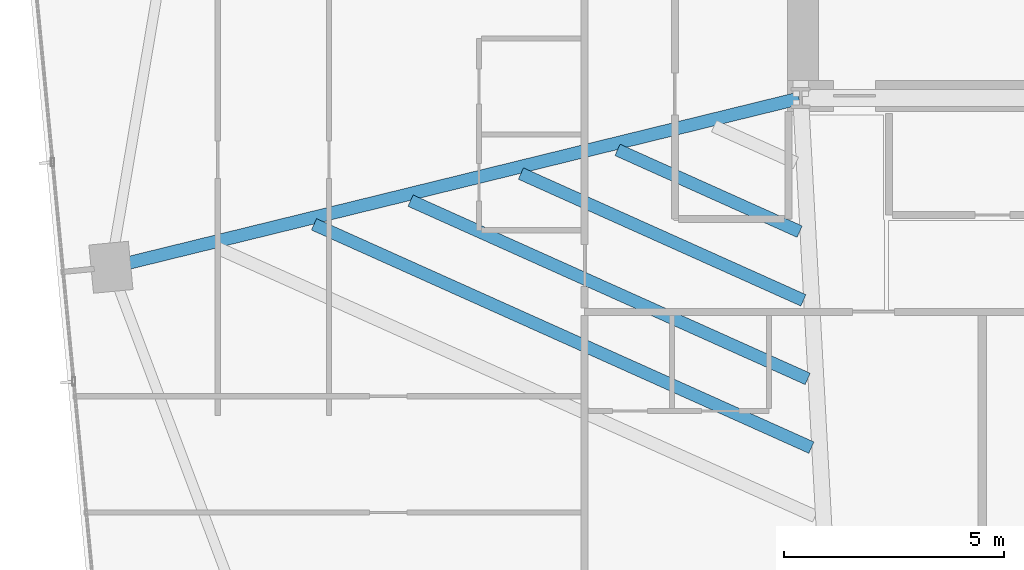
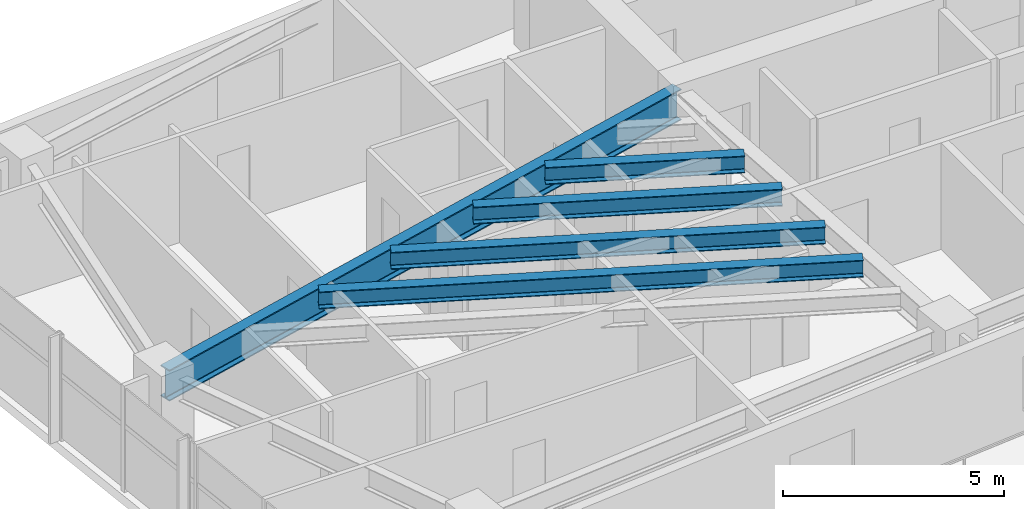
# One storey, part 5 of 25: 5 beams.
"""IFC4 building model written with IfcOpenShell, lengths in metres."""

import ifcopenshell
import ifcopenshell.guid

model = None  # the IFC model being written
_history = None  # IfcOwnerHistory: only IFC2X3 demands one
_inside = {}  # id of a spatial element -> (the spatial element, [elements in it])
_under = {}  # id of a project, library or spatial element -> (it, [spatial elements below it])
_declared = {}  # id of a project -> (the project, [libraries it declares])
_typed = {}  # id of a type object -> (the type object, [elements of that type])
_made_of = {}  # id of a material, layer set ... -> (it, [elements and type objects made of it])


def new_model(schema):
    """Start an empty IFC model of exactly this schema.

    Asked for "IFC4X3", IfcOpenShell would pick the latest addendum, in which some entities
    have other attributes; the version numbers below select the first issue.
    IFC2X3 requires an IfcOwnerHistory on every rooted entity: one is made here for all.
    """
    global model, _history
    if schema == "IFC4X3":
        model = ifcopenshell.file(schema_version=(4, 3, 0, 0))
    else:
        model = ifcopenshell.file(schema=schema)
    _inside.clear()
    _under.clear()
    _declared.clear()
    _typed.clear()
    _made_of.clear()
    _history = None
    if model.schema == "IFC2X3":
        org = make("IfcOrganization", Name="unknown")
        user = make(
            "IfcPersonAndOrganization",
            ThePerson=make("IfcPerson", FamilyName="unknown"),
            TheOrganization=org,
        )
        app = make(
            "IfcApplication",
            ApplicationDeveloper=org,
            Version="unknown",
            ApplicationFullName="unknown",
            ApplicationIdentifier="unknown",
        )
        _history = make(
            "IfcOwnerHistory",
            OwningUser=user,
            OwningApplication=app,
            ChangeAction="ADDED",
            CreationDate=0,
        )
    return model


def make(cls, **values):
    """One entity of the class cls with the attributes given. An attribute that is None is left unset."""
    return model.create_entity(
        cls, **{name: value for name, value in values.items() if value is not None}
    )


def rooted(cls, **values):
    """An entity with a GlobalId (a new one), such as an element, a storey or a relation."""
    return make(cls, GlobalId=ifcopenshell.guid.new(), OwnerHistory=_history, **values)


def si_unit(unit_type, name, prefix=None):
    """IfcSIUnit, for example si_unit("LENGTHUNIT", "METRE", prefix="MILLI")."""
    return make("IfcSIUnit", UnitType=unit_type, Prefix=prefix, Name=name)


def assignment(units):
    """IfcUnitAssignment: the units of a project."""
    return None if units is None else make("IfcUnitAssignment", Units=units)


def point(xyz):
    """IfcCartesianPoint."""
    return None if xyz is None else make("IfcCartesianPoint", Coordinates=xyz)


def direction(xyz):
    """IfcDirection."""
    return None if xyz is None else make("IfcDirection", DirectionRatios=xyz)


def frame(location, z_axis=None, x_axis=None):
    """IfcAxis2Placement3D, a coordinate frame: its origin and axes. An axis left out is left unset."""
    return make(
        "IfcAxis2Placement3D",
        Location=point(location),
        Axis=direction(z_axis),
        RefDirection=direction(x_axis),
    )


def frame_2d(location, x_axis=None):
    """IfcAxis2Placement2D, a coordinate frame in the plane: its origin and x axis."""
    return make(
        "IfcAxis2Placement2D", Location=point(location), RefDirection=direction(x_axis)
    )


def origin():
    """The frame at (0, 0, 0) with its axes left unset."""
    return frame((0.0, 0.0, 0.0))


def origin_2d():
    """The frame at (0, 0) in the plane with its x axis left unset."""
    return frame_2d((0.0, 0.0))


def place(relative_to, where):
    """IfcLocalPlacement: puts the frame where relative to a parent placement (None: the world)."""
    return make(
        "IfcLocalPlacement", PlacementRelTo=relative_to, RelativePlacement=where
    )


def context(
    kind, dimensions, precision=None, world=None, true_north=None, identifier=None
):
    """IfcGeometricRepresentationContext, for example the 3D "Model" context."""
    return make(
        "IfcGeometricRepresentationContext",
        ContextIdentifier=identifier,
        ContextType=kind,
        CoordinateSpaceDimension=dimensions,
        Precision=precision,
        WorldCoordinateSystem=world,
        TrueNorth=true_north,
    )


def subcontext(parent, identifier, kind, view, scale=None):
    """IfcGeometricRepresentationSubContext, for example "Body" below "Model"."""
    return make(
        "IfcGeometricRepresentationSubContext",
        ContextIdentifier=identifier,
        ContextType=kind,
        ParentContext=parent,
        TargetScale=scale,
        TargetView=view,
    )


def project(units=None, contexts=None):
    """IfcProject with its units and contexts."""
    return rooted(
        "IfcProject",
        Name="project",
        RepresentationContexts=contexts,
        UnitsInContext=assignment(units),
    )


def spatial(cls, under=None, at=None, **own):
    """A site, building, storey or space (cls), placed at a placement, below another one or the project."""
    s = rooted(cls, ObjectPlacement=at, **own)
    if under is not None:
        _under.setdefault(under.id(), (under, []))[1].append(s)
    return s


def profile(cls, at=None, kind="AREA", **sizes):
    """A parametric profile (cls). Its sizes go by their IFC names, for example OverallWidth=200.0."""
    return make(cls, ProfileType=kind, Position=at, **sizes)


def i_section(**sizes):
    """IfcIShapeProfileDef."""
    return profile("IfcIShapeProfileDef", **sizes)


def extrude(swept, where, along, depth):
    """IfcExtrudedAreaSolid: the profile swept, set in the frame where, extruded along a direction by depth."""
    return make(
        "IfcExtrudedAreaSolid",
        SweptArea=swept,
        Position=where,
        ExtrudedDirection=direction(along),
        Depth=depth,
    )


def shape(context_of_items, identifier, shape_type, items):
    """IfcShapeRepresentation: the items that make up one representation, for example the "Body"."""
    return make(
        "IfcShapeRepresentation",
        ContextOfItems=context_of_items,
        RepresentationIdentifier=identifier,
        RepresentationType=shape_type,
        Items=items,
    )


def source(mapping_origin, context_of_items, identifier, shape_type, items):
    """IfcRepresentationMap: a shape defined once, which mapped items show again and again."""
    return make(
        "IfcRepresentationMap",
        MappingOrigin=mapping_origin,
        MappedRepresentation=shape(context_of_items, identifier, shape_type, items),
    )


def transform(
    local_origin,
    x_axis=None,
    y_axis=None,
    z_axis=None,
    scale=None,
    scale2=None,
    scale3=None,
    uniform=True,
):
    """IfcCartesianTransformationOperator3D, or its non-uniform kind. x_axis, y_axis, z_axis: its Axis1, 2, 3."""
    if uniform:
        return make(
            "IfcCartesianTransformationOperator3D",
            Axis1=direction(x_axis),
            Axis2=direction(y_axis),
            LocalOrigin=point(local_origin),
            Scale=scale,
            Axis3=direction(z_axis),
        )
    return make(
        "IfcCartesianTransformationOperator3DnonUniform",
        Axis1=direction(x_axis),
        Axis2=direction(y_axis),
        LocalOrigin=point(local_origin),
        Scale=scale,
        Axis3=direction(z_axis),
        Scale2=scale2,
        Scale3=scale3,
    )


def mapped(mapping_source, mapping_target):
    """IfcMappedItem: shows the shape of a source again, moved by a transform."""
    return make(
        "IfcMappedItem", MappingSource=mapping_source, MappingTarget=mapping_target
    )


def material(Name=None, Category=None):
    """IfcMaterial."""
    return make("IfcMaterial", Name=Name, Category=Category)


def material_profile(
    of_material, cross_section, Name=None, Category=None, Priority=None
):
    """IfcMaterialProfile: a cross section and its material."""
    return make(
        "IfcMaterialProfile",
        Name=Name,
        Material=of_material,
        Profile=cross_section,
        Priority=Priority,
        Category=Category,
    )


def profile_set(profiles, Name=None, composite=None):
    """IfcMaterialProfileSet."""
    return make(
        "IfcMaterialProfileSet",
        Name=Name,
        MaterialProfiles=profiles,
        CompositeProfile=composite,
    )


def made_of(thing, what):
    """Note that an element or type object is made of a material, layer set ...; save() writes the relation."""
    if what is not None:
        _made_of.setdefault(what.id(), (what, []))[1].append(thing)
    return thing


def type_object(cls, material=None, **own):
    """A type object (cls), such as IfcWallType, which elements share."""
    return made_of(rooted(cls, **own), material)


def type_shapes(of_type, sources):
    """Give a type object the sources (RepresentationMaps) that its elements show as mapped items."""
    of_type.RepresentationMaps = sources


def element(
    cls,
    number,
    at=None,
    inside=None,
    cuts=None,
    type_object=None,
    material=None,
    context=None,
    identifier="Body",
    shape_type=None,
    held_by="IfcProductDefinitionShape",
    body=None,
    shapes=None,
    **own,
):
    """One element of the class cls, such as IfcWall. Its Tag is "e" and its number.

    at: its placement. inside: the storey or other place that contains it. cuts: it is an
    opening in that element (IfcRelVoidsElement). A single representation is given by context,
    identifier, shape_type and body (its items); several are given by shapes. held_by: the class
    of the entity that holds the representations. save() writes the other relations.
    """
    e = rooted(cls, Tag="e%d" % number, ObjectPlacement=at, **own)
    if body is not None:
        shapes = [shape(context, identifier, shape_type, body)]
    if shapes is not None:
        e.Representation = make(held_by, Representations=shapes)
    if inside is not None:
        _inside.setdefault(inside.id(), (inside, []))[1].append(e)
    if cuts is not None:
        rooted(
            "IfcRelVoidsElement", RelatingBuildingElement=cuts, RelatedOpeningElement=e
        )
    if type_object is not None:
        _typed.setdefault(type_object.id(), (type_object, []))[1].append(e)
    return made_of(e, material)


def aggregate(whole, parts):
    """IfcRelAggregates: a whole, such as a stair, and the parts it consists of."""
    return rooted("IfcRelAggregates", RelatingObject=whole, RelatedObjects=parts)


def save(model, path):
    """Write the relations noted so far, then the file.

    IfcRelAggregates (storeys below a building ...), IfcRelContainedInSpatialStructure (elements
    in a storey), IfcRelDefinesByType, IfcRelAssociatesMaterial and IfcRelDeclares: one each for
    every whole, place, type object, material and project.
    """
    for whole, parts in _under.values():
        aggregate(whole, parts)
    for where, things in _inside.values():
        rooted(
            "IfcRelContainedInSpatialStructure",
            RelatedElements=things,
            RelatingStructure=where,
        )
    for kind, things in _typed.values():
        rooted("IfcRelDefinesByType", RelatedObjects=things, RelatingType=kind)
    for what, things in _made_of.values():
        rooted("IfcRelAssociatesMaterial", RelatedObjects=things, RelatingMaterial=what)
    for by, libraries in _declared.values():
        rooted("IfcRelDeclares", RelatingContext=by, RelatedDefinitions=libraries)
    model.write(path)


model = new_model("IFC4")

# Units and contexts
model_context = context("Model", 3, precision=1e-05, world=origin(), true_north=direction((0.0, 1.0)))
body_context = subcontext(model_context, "Body", "Model", "MODEL_VIEW")
ifc_project = project(units=[si_unit("LENGTHUNIT", "METRE"), si_unit("AREAUNIT", "SQUARE_METRE"), si_unit("VOLUMEUNIT", "CUBIC_METRE"), si_unit("PLANEANGLEUNIT", "RADIAN"), si_unit("MASSUNIT", "GRAM", prefix="KILO")], contexts=[model_context])

# Site, building, storey
site_placement = place(None, origin())
site = spatial("IfcSite", under=ifc_project, at=site_placement, CompositionType="ELEMENT")
building_placement = place(site_placement, origin())
building = spatial("IfcBuilding", under=site, at=building_placement, Name="Astriad Promenade Condominiums", CompositionType="ELEMENT")
storey_placement = place(building_placement, frame((0.0, 0.0, 106.60009765625)))
storey = spatial("IfcBuildingStorey", under=building, at=storey_placement, Name="L30", CompositionType="ELEMENT", Elevation=106.60009765625)

# Beams
ifc_material = material(Name="Steel ASTM A992 Grade 50", Category="steel")
ifc_material_profile_1 = material_profile(ifc_material, i_section(OverallWidth=0.2919921875, OverallDepth=0.85888671875, WebThickness=0.01708984375, FlangeThickness=0.031005859375, FilletRadius=0.02294921875, at=origin_2d()), Name="W33X169")
ifc_profile_set_1 = profile_set([ifc_material_profile_1], Name="Steel ASTM A992 Grade 50")
beam_type_1 = type_object("IfcBeamType", Name="STEEL PRIMARY GIRDER W33X169", PredefinedType="BEAM", material=ifc_profile_set_1)
shared_shape_1 = source(origin(), body_context, "Body", "SweptSolid", [
    extrude(i_section(OverallWidth=0.2919921875, OverallDepth=0.85888671875, WebThickness=0.01708984375, FlangeThickness=0.031005859375, FilletRadius=0.02294921875, at=origin_2d()), origin(), (0.0, 0.0, 1.0), 16.032470703125),
])
type_shapes(beam_type_1, [shared_shape_1])
beam_1_placement = place(storey_placement, frame((10.790283203125, 13.5703125, 2.510498046875), z_axis=(0.971199076901, 0.238269496633, 0.0), x_axis=(-0.238269496633, 0.971199076901, 0.0)))
element("IfcBeam", 1, at=beam_1_placement, inside=storey, type_object=beam_type_1, Name="Primary Floor Girder PG-WM-L30", PredefinedType="BEAM", context=body_context, shape_type="MappedRepresentation", body=[
    mapped(shared_shape_1, transform((0.0, 0.0, 0.0), scale=1.0)),
])
ifc_material_profile_2 = material_profile(ifc_material, i_section(OverallWidth=0.283203125, OverallDepth=0.47216796875, WebThickness=0.013671875, FlangeThickness=0.022216796875, FilletRadius=0.01513671875, at=origin_2d()), Name="W18X97")
ifc_profile_set_2 = profile_set([ifc_material_profile_2], Name="Steel ASTM A992 Grade 50")
beam_type_2 = type_object("IfcBeamType", Name="STEEL FLOOR JOIST W18X97", PredefinedType="JOIST", material=ifc_profile_set_2)
shared_shape_2 = source(origin(), body_context, "Body", "SweptSolid", [
    extrude(i_section(OverallWidth=0.283203125, OverallDepth=0.47216796875, WebThickness=0.013671875, FlangeThickness=0.022216796875, FilletRadius=0.01513671875, at=origin_2d()), origin(), (0.0, 0.0, 1.0), 12.369140625),
])
beam_2_placement = place(storey_placement, frame((15.35888671875, 14.534423828125, 2.703857421875), z_axis=(0.91230851279, -0.409503574454, 0.0), x_axis=(0.409503574454, 0.91230851279, 0.0)))
element("IfcBeam", 2, at=beam_2_placement, inside=storey, type_object=beam_type_2, Name="Secondary Composite Floor Joist JW1-2-L30", PredefinedType="JOIST", context=body_context, shape_type="MappedRepresentation", body=[
    mapped(shared_shape_2, transform((0.0, 0.0, 0.0), scale=1.0)),
])
shared_shape_3 = source(origin(), body_context, "Body", "SweptSolid", [
    extrude(i_section(OverallWidth=0.283203125, OverallDepth=0.47216796875, WebThickness=0.013671875, FlangeThickness=0.022216796875, FilletRadius=0.01513671875, at=origin_2d()), origin(), (0.0, 0.0, 1.0), 9.875),
])
beam_3_placement = place(storey_placement, frame((17.549560546875, 15.072021484375, 2.703857421875), z_axis=(0.912313833055, -0.409491721549, 0.0), x_axis=(0.409491721549, 0.912313833055, 0.0)))
element("IfcBeam", 3, at=beam_3_placement, inside=storey, type_object=beam_type_2, Name="Secondary Composite Floor Joist JW1-3-L30", PredefinedType="JOIST", context=body_context, shape_type="MappedRepresentation", body=[
    mapped(shared_shape_3, transform((0.0, 0.0, 0.0), scale=1.0)),
])
shared_shape_4 = source(origin(), body_context, "Body", "SweptSolid", [
    extrude(i_section(OverallWidth=0.283203125, OverallDepth=0.47216796875, WebThickness=0.013671875, FlangeThickness=0.022216796875, FilletRadius=0.01513671875, at=origin_2d()), origin(), (0.0, 0.0, 1.0), 7.024169921875),
])
beam_4_placement = place(storey_placement, frame((20.053466796875, 15.686279296875, 2.703857421875), z_axis=(0.912306106293, -0.409508935703, 0.0), x_axis=(0.409508935703, 0.912306106293, 0.0)))
element("IfcBeam", 4, at=beam_4_placement, inside=storey, type_object=beam_type_2, Name="Secondary Composite Floor Joist JW1-4-L30", PredefinedType="JOIST", context=body_context, shape_type="MappedRepresentation", body=[
    mapped(shared_shape_4, transform((0.0, 0.0, 0.0), scale=1.0)),
])
shared_shape_5 = source(origin(), body_context, "Body", "SweptSolid", [
    extrude(i_section(OverallWidth=0.283203125, OverallDepth=0.47216796875, WebThickness=0.013671875, FlangeThickness=0.022216796875, FilletRadius=0.01513671875, at=origin_2d()), origin(), (0.0, 0.0, 1.0), 4.52978515625),
])
type_shapes(beam_type_2, [shared_shape_2, shared_shape_3, shared_shape_4, shared_shape_5])
beam_5_placement = place(storey_placement, frame((22.244140625, 16.2236328125, 2.703857421875), z_axis=(0.912307341368, -0.409506184186, 0.0), x_axis=(0.409506184186, 0.912307341368, 0.0)))
element("IfcBeam", 5, at=beam_5_placement, inside=storey, type_object=beam_type_2, Name="Secondary Composite Floor Joist JW1-5-L30", PredefinedType="JOIST", context=body_context, shape_type="MappedRepresentation", body=[
    mapped(shared_shape_5, transform((0.0, 0.0, 0.0), scale=1.0)),
])

save(model, "model.ifc")
